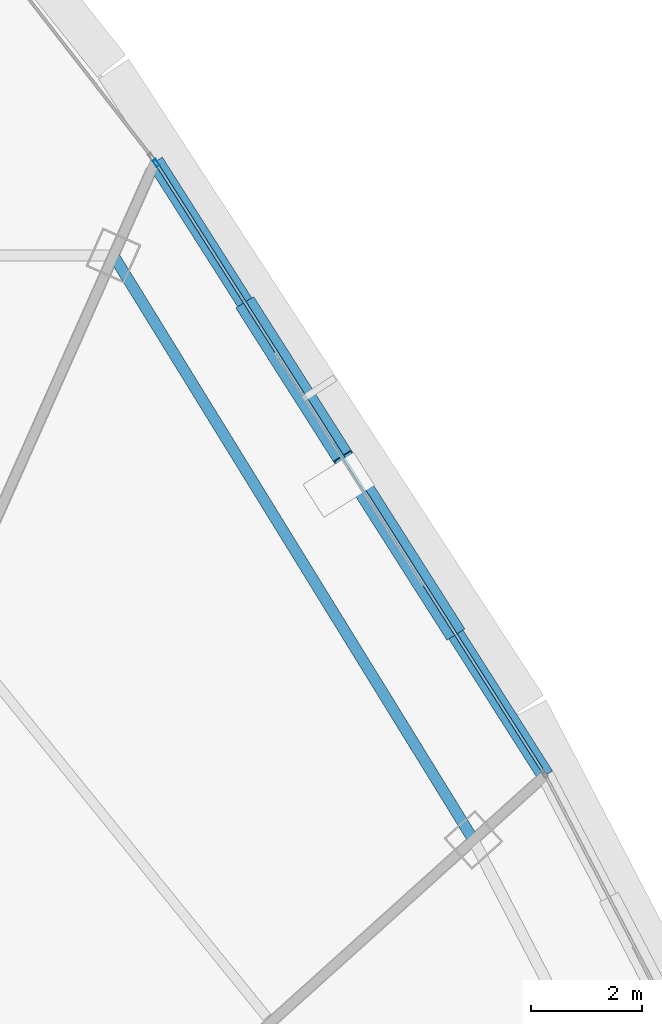
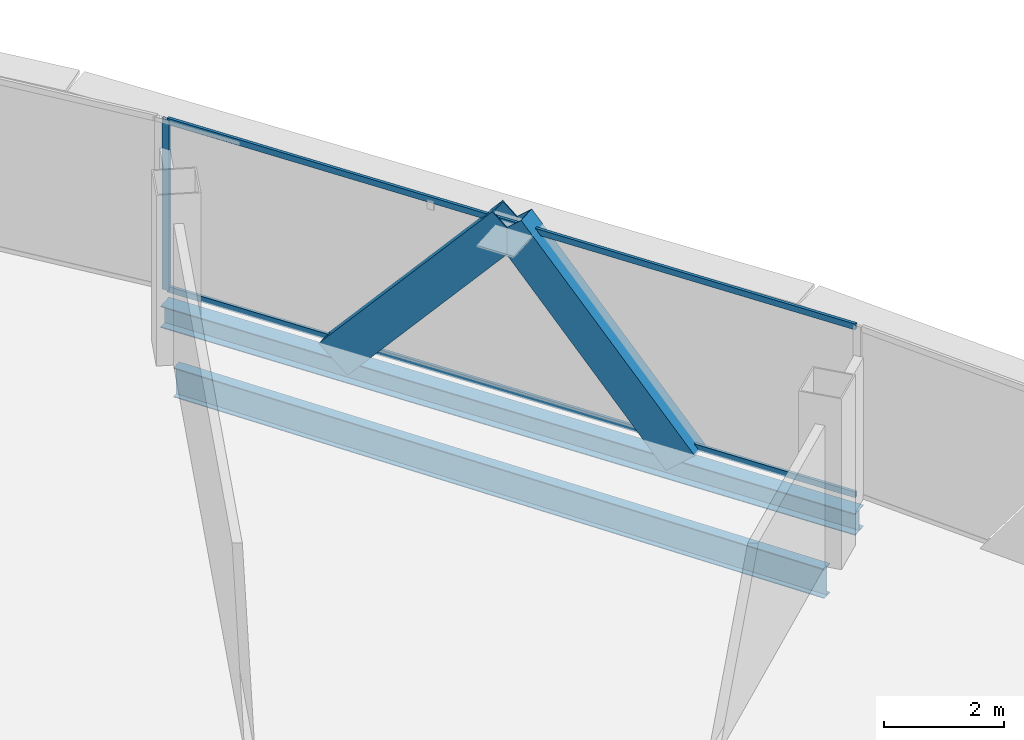
# One storey, part 23 of 33: 5 members, 2 beams, 1 element without a shape of its own.
"""IFC4 building model written with IfcOpenShell, lengths in metres."""

import ifcopenshell
import ifcopenshell.guid

model = None  # the IFC model being written
_history = None  # IfcOwnerHistory: only IFC2X3 demands one
_inside = {}  # id of a spatial element -> (the spatial element, [elements in it])
_under = {}  # id of a project, library or spatial element -> (it, [spatial elements below it])
_declared = {}  # id of a project -> (the project, [libraries it declares])
_typed = {}  # id of a type object -> (the type object, [elements of that type])
_made_of = {}  # id of a material, layer set ... -> (it, [elements and type objects made of it])


def new_model(schema):
    """Start an empty IFC model of exactly this schema.

    Asked for "IFC4X3", IfcOpenShell would pick the latest addendum, in which some entities
    have other attributes; the version numbers below select the first issue.
    IFC2X3 requires an IfcOwnerHistory on every rooted entity: one is made here for all.
    """
    global model, _history
    if schema == "IFC4X3":
        model = ifcopenshell.file(schema_version=(4, 3, 0, 0))
    else:
        model = ifcopenshell.file(schema=schema)
    _inside.clear()
    _under.clear()
    _declared.clear()
    _typed.clear()
    _made_of.clear()
    _history = None
    if model.schema == "IFC2X3":
        org = make("IfcOrganization", Name="unknown")
        user = make(
            "IfcPersonAndOrganization",
            ThePerson=make("IfcPerson", FamilyName="unknown"),
            TheOrganization=org,
        )
        app = make(
            "IfcApplication",
            ApplicationDeveloper=org,
            Version="unknown",
            ApplicationFullName="unknown",
            ApplicationIdentifier="unknown",
        )
        _history = make(
            "IfcOwnerHistory",
            OwningUser=user,
            OwningApplication=app,
            ChangeAction="ADDED",
            CreationDate=0,
        )
    return model


def make(cls, **values):
    """One entity of the class cls with the attributes given. An attribute that is None is left unset."""
    return model.create_entity(
        cls, **{name: value for name, value in values.items() if value is not None}
    )


def rooted(cls, **values):
    """An entity with a GlobalId (a new one), such as an element, a storey or a relation."""
    return make(cls, GlobalId=ifcopenshell.guid.new(), OwnerHistory=_history, **values)


def si_unit(unit_type, name, prefix=None):
    """IfcSIUnit, for example si_unit("LENGTHUNIT", "METRE", prefix="MILLI")."""
    return make("IfcSIUnit", UnitType=unit_type, Prefix=prefix, Name=name)


def assignment(units):
    """IfcUnitAssignment: the units of a project."""
    return None if units is None else make("IfcUnitAssignment", Units=units)


def point(xyz):
    """IfcCartesianPoint."""
    return None if xyz is None else make("IfcCartesianPoint", Coordinates=xyz)


def direction(xyz):
    """IfcDirection."""
    return None if xyz is None else make("IfcDirection", DirectionRatios=xyz)


def frame(location, z_axis=None, x_axis=None):
    """IfcAxis2Placement3D, a coordinate frame: its origin and axes. An axis left out is left unset."""
    return make(
        "IfcAxis2Placement3D",
        Location=point(location),
        Axis=direction(z_axis),
        RefDirection=direction(x_axis),
    )


def frame_2d(location, x_axis=None):
    """IfcAxis2Placement2D, a coordinate frame in the plane: its origin and x axis."""
    return make(
        "IfcAxis2Placement2D", Location=point(location), RefDirection=direction(x_axis)
    )


def origin():
    """The frame at (0, 0, 0) with its axes left unset."""
    return frame((0.0, 0.0, 0.0))


def origin_2d():
    """The frame at (0, 0) in the plane with its x axis left unset."""
    return frame_2d((0.0, 0.0))


def place(relative_to, where):
    """IfcLocalPlacement: puts the frame where relative to a parent placement (None: the world)."""
    return make(
        "IfcLocalPlacement", PlacementRelTo=relative_to, RelativePlacement=where
    )


def context(
    kind, dimensions, precision=None, world=None, true_north=None, identifier=None
):
    """IfcGeometricRepresentationContext, for example the 3D "Model" context."""
    return make(
        "IfcGeometricRepresentationContext",
        ContextIdentifier=identifier,
        ContextType=kind,
        CoordinateSpaceDimension=dimensions,
        Precision=precision,
        WorldCoordinateSystem=world,
        TrueNorth=true_north,
    )


def subcontext(parent, identifier, kind, view, scale=None):
    """IfcGeometricRepresentationSubContext, for example "Body" below "Model"."""
    return make(
        "IfcGeometricRepresentationSubContext",
        ContextIdentifier=identifier,
        ContextType=kind,
        ParentContext=parent,
        TargetScale=scale,
        TargetView=view,
    )


def project(units=None, contexts=None):
    """IfcProject with its units and contexts."""
    return rooted(
        "IfcProject",
        Name="project",
        RepresentationContexts=contexts,
        UnitsInContext=assignment(units),
    )


def spatial(cls, under=None, at=None, **own):
    """A site, building, storey or space (cls), placed at a placement, below another one or the project."""
    s = rooted(cls, ObjectPlacement=at, **own)
    if under is not None:
        _under.setdefault(under.id(), (under, []))[1].append(s)
    return s


def profile(cls, at=None, kind="AREA", **sizes):
    """A parametric profile (cls). Its sizes go by their IFC names, for example OverallWidth=200.0."""
    return make(cls, ProfileType=kind, Position=at, **sizes)


def hollow_rectangle(**sizes):
    """IfcRectangleHollowProfileDef."""
    return profile("IfcRectangleHollowProfileDef", **sizes)


def i_section(**sizes):
    """IfcIShapeProfileDef."""
    return profile("IfcIShapeProfileDef", **sizes)


def extrude(swept, where, along, depth):
    """IfcExtrudedAreaSolid: the profile swept, set in the frame where, extruded along a direction by depth."""
    return make(
        "IfcExtrudedAreaSolid",
        SweptArea=swept,
        Position=where,
        ExtrudedDirection=direction(along),
        Depth=depth,
    )


def shape(context_of_items, identifier, shape_type, items):
    """IfcShapeRepresentation: the items that make up one representation, for example the "Body"."""
    return make(
        "IfcShapeRepresentation",
        ContextOfItems=context_of_items,
        RepresentationIdentifier=identifier,
        RepresentationType=shape_type,
        Items=items,
    )


def source(mapping_origin, context_of_items, identifier, shape_type, items):
    """IfcRepresentationMap: a shape defined once, which mapped items show again and again."""
    return make(
        "IfcRepresentationMap",
        MappingOrigin=mapping_origin,
        MappedRepresentation=shape(context_of_items, identifier, shape_type, items),
    )


def transform(
    local_origin,
    x_axis=None,
    y_axis=None,
    z_axis=None,
    scale=None,
    scale2=None,
    scale3=None,
    uniform=True,
):
    """IfcCartesianTransformationOperator3D, or its non-uniform kind. x_axis, y_axis, z_axis: its Axis1, 2, 3."""
    if uniform:
        return make(
            "IfcCartesianTransformationOperator3D",
            Axis1=direction(x_axis),
            Axis2=direction(y_axis),
            LocalOrigin=point(local_origin),
            Scale=scale,
            Axis3=direction(z_axis),
        )
    return make(
        "IfcCartesianTransformationOperator3DnonUniform",
        Axis1=direction(x_axis),
        Axis2=direction(y_axis),
        LocalOrigin=point(local_origin),
        Scale=scale,
        Axis3=direction(z_axis),
        Scale2=scale2,
        Scale3=scale3,
    )


def mapped(mapping_source, mapping_target):
    """IfcMappedItem: shows the shape of a source again, moved by a transform."""
    return make(
        "IfcMappedItem", MappingSource=mapping_source, MappingTarget=mapping_target
    )


def material(Name=None, Category=None):
    """IfcMaterial."""
    return make("IfcMaterial", Name=Name, Category=Category)


def layer(
    of_material, thickness, ventilated=None, Name=None, Category=None, Priority=None
):
    """IfcMaterialLayer: one layer of a wall or slab, of a material (None: an air gap)."""
    return make(
        "IfcMaterialLayer",
        Material=of_material,
        LayerThickness=thickness,
        IsVentilated=ventilated,
        Name=Name,
        Category=Category,
        Priority=Priority,
    )


def layer_set(layers, Name=None):
    """IfcMaterialLayerSet."""
    return make("IfcMaterialLayerSet", MaterialLayers=layers, LayerSetName=Name)


def material_profile(
    of_material, cross_section, Name=None, Category=None, Priority=None
):
    """IfcMaterialProfile: a cross section and its material."""
    return make(
        "IfcMaterialProfile",
        Name=Name,
        Material=of_material,
        Profile=cross_section,
        Priority=Priority,
        Category=Category,
    )


def profile_set(profiles, Name=None, composite=None):
    """IfcMaterialProfileSet."""
    return make(
        "IfcMaterialProfileSet",
        Name=Name,
        MaterialProfiles=profiles,
        CompositeProfile=composite,
    )


def made_of(thing, what):
    """Note that an element or type object is made of a material, layer set ...; save() writes the relation."""
    if what is not None:
        _made_of.setdefault(what.id(), (what, []))[1].append(thing)
    return thing


def type_object(cls, material=None, **own):
    """A type object (cls), such as IfcWallType, which elements share."""
    return made_of(rooted(cls, **own), material)


def element(
    cls,
    number,
    at=None,
    inside=None,
    cuts=None,
    type_object=None,
    material=None,
    context=None,
    identifier="Body",
    shape_type=None,
    held_by="IfcProductDefinitionShape",
    body=None,
    shapes=None,
    **own,
):
    """One element of the class cls, such as IfcWall. Its Tag is "e" and its number.

    at: its placement. inside: the storey or other place that contains it. cuts: it is an
    opening in that element (IfcRelVoidsElement). A single representation is given by context,
    identifier, shape_type and body (its items); several are given by shapes. held_by: the class
    of the entity that holds the representations. save() writes the other relations.
    """
    e = rooted(cls, Tag="e%d" % number, ObjectPlacement=at, **own)
    if body is not None:
        shapes = [shape(context, identifier, shape_type, body)]
    if shapes is not None:
        e.Representation = make(held_by, Representations=shapes)
    if inside is not None:
        _inside.setdefault(inside.id(), (inside, []))[1].append(e)
    if cuts is not None:
        rooted(
            "IfcRelVoidsElement", RelatingBuildingElement=cuts, RelatedOpeningElement=e
        )
    if type_object is not None:
        _typed.setdefault(type_object.id(), (type_object, []))[1].append(e)
    return made_of(e, material)


def aggregate(whole, parts):
    """IfcRelAggregates: a whole, such as a stair, and the parts it consists of."""
    return rooted("IfcRelAggregates", RelatingObject=whole, RelatedObjects=parts)


def save(model, path):
    """Write the relations noted so far, then the file.

    IfcRelAggregates (storeys below a building ...), IfcRelContainedInSpatialStructure (elements
    in a storey), IfcRelDefinesByType, IfcRelAssociatesMaterial and IfcRelDeclares: one each for
    every whole, place, type object, material and project.
    """
    for whole, parts in _under.values():
        aggregate(whole, parts)
    for where, things in _inside.values():
        rooted(
            "IfcRelContainedInSpatialStructure",
            RelatedElements=things,
            RelatingStructure=where,
        )
    for kind, things in _typed.values():
        rooted("IfcRelDefinesByType", RelatedObjects=things, RelatingType=kind)
    for what, things in _made_of.values():
        rooted("IfcRelAssociatesMaterial", RelatedObjects=things, RelatingMaterial=what)
    for by, libraries in _declared.values():
        rooted("IfcRelDeclares", RelatingContext=by, RelatedDefinitions=libraries)
    model.write(path)


model = new_model("IFC4")

# Units and contexts
model_context = context("Model", 3, precision=1e-05, world=origin(), true_north=direction((0.0, 1.0)))
body_context = subcontext(model_context, "Body", "Model", "MODEL_VIEW")
ifc_project = project(units=[si_unit("LENGTHUNIT", "METRE"), si_unit("AREAUNIT", "SQUARE_METRE"), si_unit("VOLUMEUNIT", "CUBIC_METRE"), si_unit("PLANEANGLEUNIT", "RADIAN"), si_unit("MASSUNIT", "GRAM", prefix="KILO"), si_unit("THERMODYNAMICTEMPERATUREUNIT", "KELVIN"), si_unit("POWERUNIT", "WATT")], contexts=[model_context])

# Site, building, storey
site_placement = place(None, origin())
site = spatial("IfcSite", under=ifc_project, at=site_placement, CompositionType="ELEMENT")
building_placement = place(site_placement, origin())
building = spatial("IfcBuilding", under=site, at=building_placement, Name="Yunzhuo Pagoda Commons", CompositionType="ELEMENT")
storey_placement = place(building_placement, frame((0.0, 0.0, 307.39990234375)))
storey = spatial("IfcBuildingStorey", under=building, at=storey_placement, Name="L77", CompositionType="ELEMENT", Elevation=307.39990234375)

# Beams
ifc_material_1 = material(Name="Structural steel Q355B", Category="steel")
ifc_material_profile_1 = material_profile(ifc_material_1, i_section(OverallWidth=0.199951171875, OverallDepth=0.60009765625, WebThickness=0.010986328125, FlangeThickness=0.01708984375, at=origin_2d()), Name="Structural steel Q355B")
ifc_profile_set_1 = profile_set([ifc_material_profile_1], Name="Structural steel Q355B")
beam_type_1 = type_object("IfcBeamType", Name="B-RG3 Beam HN 600x200x11x17", PredefinedType="BEAM", material=ifc_profile_set_1)
shared_shape_1 = source(origin(), body_context, "Body", "SweptSolid", [
    extrude(i_section(OverallWidth=0.199951171875, OverallDepth=0.60009765625, WebThickness=0.010986328125, FlangeThickness=0.01708984375, at=origin_2d()), origin(), (0.0, 0.0, 1.0), 12.315185546875),
])
beam_1_placement = place(storey_placement, frame((66.5732421875, 50.423583984375, -0.559814453125), z_axis=(-0.524469015689, 0.851429534126, 0.0), x_axis=(-0.851429534126, -0.524469015689, 0.0)))
element("IfcBeam", 1, at=beam_1_placement, inside=storey, type_object=beam_type_1, Name="L77 column-ring beam 7", PredefinedType="BEAM", context=body_context, shape_type="MappedRepresentation", body=[
    mapped(shared_shape_1, transform((0.0, 0.0, 0.0), scale=1.0)),
])
ifc_material_profile_2 = material_profile(ifc_material_1, i_section(OverallWidth=0.300048828125, OverallDepth=0.43994140625, WebThickness=0.010986328125, FlangeThickness=0.01806640625, at=origin_2d()), Name="Structural steel Q355B")
ifc_profile_set_2 = profile_set([ifc_material_profile_2], Name="Structural steel Q355B")
beam_type_2 = type_object("IfcBeamType", Name="B-SP2 Beam HM 440x300x11x18", PredefinedType="BEAM", material=ifc_profile_set_2)
shared_shape_2 = source(origin(), body_context, "Body", "SweptSolid", [
    extrude(i_section(OverallWidth=0.300048828125, OverallDepth=0.43994140625, WebThickness=0.010986328125, FlangeThickness=0.01806640625, at=origin_2d()), origin(), (0.0, 0.0, 1.0), 13.04541015625),
])
beam_2_placement = place(storey_placement, frame((67.86328125, 51.5849609375, -0.47998046875), z_axis=(-0.536495198362, 0.84390337251, 0.0), x_axis=(-0.84390337251, -0.536495198362, 0.0)))
element("IfcBeam", 2, at=beam_2_placement, inside=storey, type_object=beam_type_2, Name="L77 facade edge spandrel beam F2.3", PredefinedType="BEAM", context=body_context, shape_type="MappedRepresentation", body=[
    mapped(shared_shape_2, transform((0.0, 0.0, 0.0), scale=1.0)),
])

# Members
ifc_material_profile_3 = material_profile(ifc_material_1, hollow_rectangle(XDim=0.3798828125, YDim=0.719970703125, WallThickness=0.02001953125, at=origin_2d()), Name="Structural steel Q355B")
ifc_profile_set_3 = profile_set([ifc_material_profile_3], Name="Structural steel Q355B")
member_type_1 = type_object("IfcMemberType", Name="M-DL3 Brace BOX 720x380x20", PredefinedType="BRACE", material=ifc_profile_set_3)
shared_shape_3 = source(origin(), body_context, "Body", "SweptSolid", [
    extrude(hollow_rectangle(XDim=0.3798828125, YDim=0.719970703125, WallThickness=0.02001953125, at=origin_2d()), origin(), (0.0, 0.0, 1.0), 4.954833984375),
])
for number, where, z_axis, x_axis, name in (
    (3, (66.113525390625, 54.337158203125, -0.260009765625), (-0.35308527331, 0.555495865378, 0.752831410955), (-0.843944948368, -0.536429794217, 0.0), "L77 facade diamond brace F2.3L"),
    (4, (62.6142578125, 59.841796875, -0.260009765625), (0.353138066695, -0.555452131415, 0.752838917404), (0.843889512446, 0.53651699953, 0.0), "L77 facade diamond brace F2.3R"),
):
    element("IfcMember", number, at=place(storey_placement, frame(where, z_axis=z_axis, x_axis=x_axis)), inside=storey, type_object=member_type_1, Name=name, PredefinedType="BRACE", context=body_context, shape_type="MappedRepresentation", body=[
        mapped(shared_shape_3, transform((0.0, 0.0, 0.0), scale=1.0)),
    ])

# Curtain wall, members
ifc_material_2 = material(Name="Anodized aluminium 6063-T6", Category="aluminium")
ifc_layer = layer(ifc_material_2, 0.139892578125)
ifc_layer_set = layer_set([ifc_layer], Name="Anodized aluminium 6063-T6")
curtain_wall_type = type_object("IfcCurtainWallType", Name="CW-HI High-Zone Ribbon Curtain Wall", PredefinedType="NOTDEFINED", material=ifc_layer_set)
curtain_wall_placement = place(storey_placement, origin())
curtain_wall = element("IfcCurtainWall", 5, at=curtain_wall_placement, inside=storey, type_object=curtain_wall_type, Name="L77 curtain wall CW-L77-F2B4", PredefinedType="NOTDEFINED")
ifc_material_profile_4 = material_profile(ifc_material_2, hollow_rectangle(XDim=0.06005859375, YDim=0.139892578125, WallThickness=0.00341796875, at=origin_2d()), Name="Anodized aluminium 6063-T6")
ifc_profile_set_4 = profile_set([ifc_material_profile_4], Name="Anodized aluminium 6063-T6")
member_type_2 = type_object("IfcMemberType", Name="CW-HI-M Mullion RHS 140x60x3.5", PredefinedType="MULLION", material=ifc_profile_set_4)
shared_shape_4 = source(origin(), body_context, "Body", "SweptSolid", [
    extrude(hollow_rectangle(XDim=0.06005859375, YDim=0.139892578125, WallThickness=0.00341796875, at=origin_2d()), origin(), (0.0, 0.0, 1.0), 3.47021484375),
])
member_1_placement = place(storey_placement, frame((60.880615234375, 62.56884765625, 0.0), z_axis=(0.0, 0.0, 1.0), x_axis=(-0.843909804597, -0.536485080599, 0.0)))
member_1 = element("IfcMember", 6, at=member_1_placement, type_object=member_type_2, Name="CW mullion 2", PredefinedType="MULLION", context=body_context, shape_type="MappedRepresentation", body=[
    mapped(shared_shape_4, transform((0.0, 0.0, 0.0), scale=1.0)),
])
ifc_material_profile_5 = material_profile(ifc_material_2, hollow_rectangle(XDim=0.054931640625, YDim=0.1201171875, WallThickness=0.00341796875, at=origin_2d()), Name="Anodized aluminium 6063-T6")
ifc_profile_set_5 = profile_set([ifc_material_profile_5], Name="Anodized aluminium 6063-T6")
member_type_3 = type_object("IfcMemberType", Name="CW-HI-T Transom RHS 120x55x3.5", PredefinedType="USERDEFINED", material=ifc_profile_set_5)
shared_shape_5 = source(origin(), body_context, "Body", "SweptSolid", [
    extrude(hollow_rectangle(XDim=0.054931640625, YDim=0.1201171875, WallThickness=0.00341796875, at=origin_2d()), origin(), (0.0, 0.0, 1.0), 12.92529296875),
])
member_2_placement = place(storey_placement, frame((67.8310546875, 51.635498046875, 0.027587890625), z_axis=(-0.536470883465, 0.84391882974, 0.0), x_axis=(-0.84391882974, -0.536470883465, 0.0)))
member_2 = element("IfcMember", 7, at=member_2_placement, type_object=member_type_3, Name="CW transom 1.1", ObjectType="TRANSOM", PredefinedType="USERDEFINED", context=body_context, shape_type="MappedRepresentation", body=[
    mapped(shared_shape_5, transform((0.0, 0.0, 0.0), scale=1.0)),
])
member_3_placement = place(storey_placement, frame((67.8310546875, 51.635498046875, 3.442626953125), z_axis=(-0.536470883465, 0.84391882974, 0.0), x_axis=(-0.84391882974, -0.536470883465, 0.0)))
member_3 = element("IfcMember", 8, at=member_3_placement, type_object=member_type_3, Name="CW transom 1.2", ObjectType="TRANSOM", PredefinedType="USERDEFINED", context=body_context, shape_type="MappedRepresentation", body=[
    mapped(shared_shape_5, transform((0.0, 0.0, 0.0), scale=1.0)),
])
aggregate(curtain_wall, [member_1, member_2, member_3])

save(model, "model.ifc")
